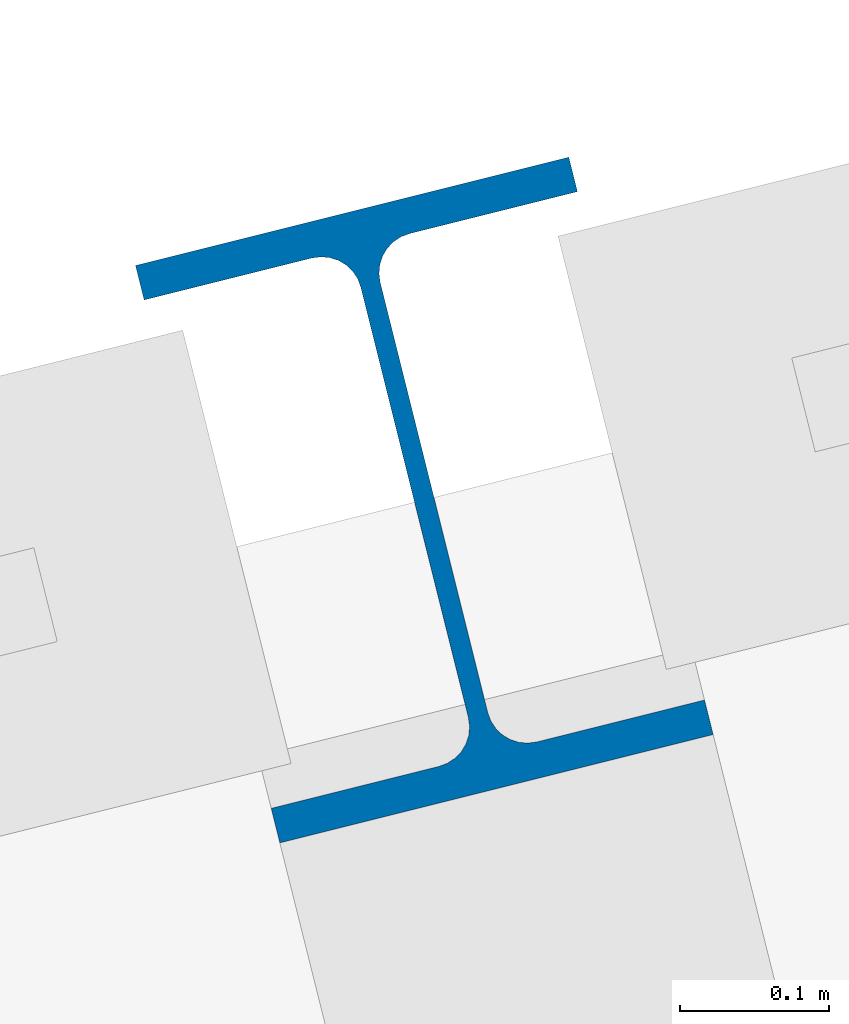
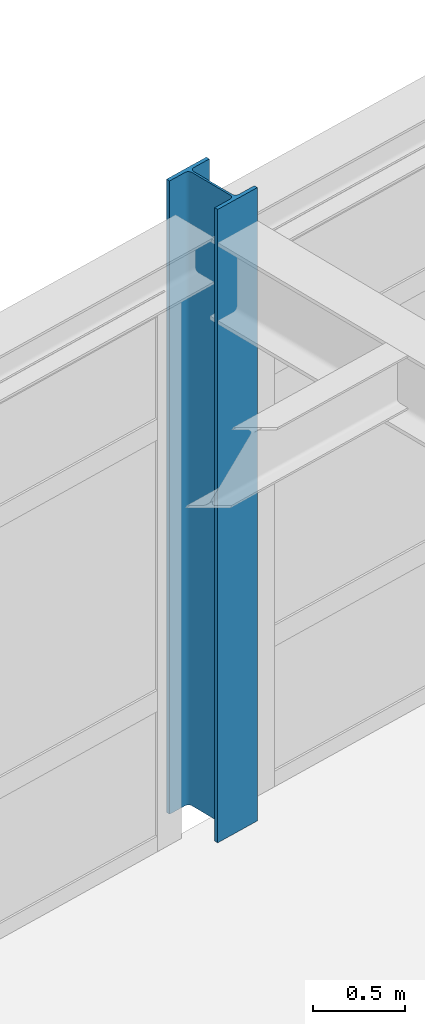
# One storey, part 5 of 76: 1 column.
"""IFC4 building model written with IfcOpenShell, lengths in metres."""

from ifc_helpers import new_model, si_unit, direction, frame, origin, origin_2d, place, context, subcontext, project, spatial, i_section, extrude, material, material_profile, profile_set, type_object, element, save


model = new_model("IFC4")

# Units and contexts
model_context = context("Model", 3, precision=1e-05, world=origin(), true_north=direction((0.0, 1.0)))
body_context = subcontext(model_context, "Body", "Model", "MODEL_VIEW")
ifc_project = project(units=[si_unit("LENGTHUNIT", "METRE"), si_unit("AREAUNIT", "SQUARE_METRE"), si_unit("VOLUMEUNIT", "CUBIC_METRE"), si_unit("PLANEANGLEUNIT", "RADIAN"), si_unit("MASSUNIT", "GRAM", prefix="KILO")], contexts=[model_context])

# Site, building, storey
site_placement = place(None, origin())
site = spatial("IfcSite", under=ifc_project, at=site_placement, CompositionType="ELEMENT")
building_placement = place(site_placement, origin())
building = spatial("IfcBuilding", under=site, at=building_placement, Name="Nordkorset Police Headquarters", CompositionType="ELEMENT")
storey_placement = place(building_placement, frame((0.0, 0.0, 13.64990234375)))
storey = spatial("IfcBuildingStorey", under=building, at=storey_placement, Name="L03", CompositionType="ELEMENT", Elevation=13.64990234375)

# Column
ifc_material = material(Name="Steel S355J2", Category="steel")
ifc_material_profile = material_profile(ifc_material, i_section(OverallWidth=0.300048828125, OverallDepth=0.39990234375, WebThickness=0.013427734375, FlangeThickness=0.02392578125, FilletRadius=0.027099609375, at=origin_2d()), Name="HEB 400")
ifc_profile_set = profile_set([ifc_material_profile], Name="Steel S355J2")
column_type = type_object("IfcColumnType", Name="Col_HEB_400", PredefinedType="COLUMN", material=ifc_profile_set)
column_placement = place(storey_placement, frame((58.9130859375, 65.67138671875, 0.0), z_axis=(0.0, 0.0, 1.0), x_axis=(0.970142500145, 0.242535625038, 0.0)))
element("IfcColumn", 1, at=column_placement, inside=storey, type_object=column_type, Name="Structural Column V4_U4_V1 L03", PredefinedType="COLUMN", context=body_context, shape_type="SweptSolid", body=[
    extrude(i_section(OverallWidth=0.300048828125, OverallDepth=0.39990234375, WebThickness=0.013427734375, FlangeThickness=0.02392578125, FilletRadius=0.027099609375, at=origin_2d()), origin(), (0.0, 0.0, 1.0), 4.2001953125),
])

save(model, "model.ifc")
